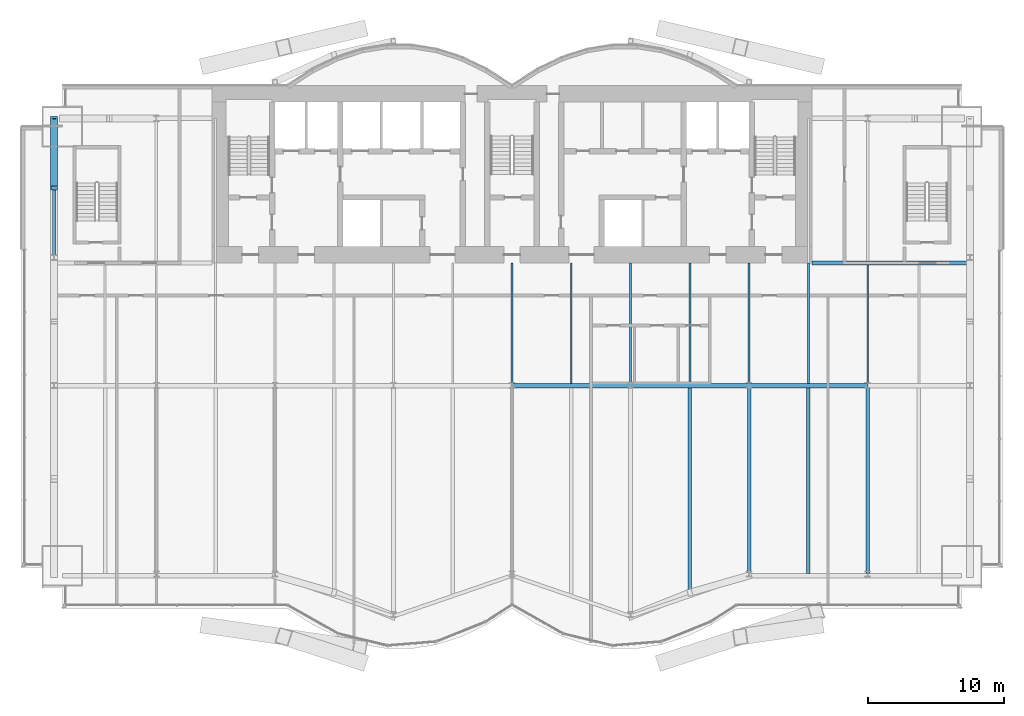
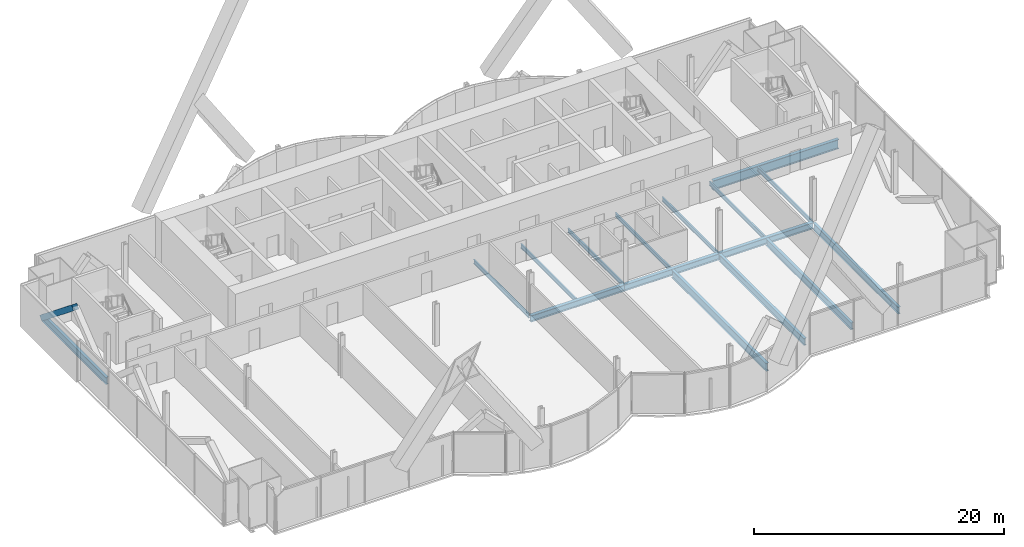
# One storey, part 10 of 22: 16 beams, 1 member.
"""IFC4 building model written with IfcOpenShell, lengths in metres."""

import ifcopenshell
import ifcopenshell.guid

model = None  # the IFC model being written
_history = None  # IfcOwnerHistory: only IFC2X3 demands one
_inside = {}  # id of a spatial element -> (the spatial element, [elements in it])
_under = {}  # id of a project, library or spatial element -> (it, [spatial elements below it])
_declared = {}  # id of a project -> (the project, [libraries it declares])
_typed = {}  # id of a type object -> (the type object, [elements of that type])
_made_of = {}  # id of a material, layer set ... -> (it, [elements and type objects made of it])


def new_model(schema):
    """Start an empty IFC model of exactly this schema.

    Asked for "IFC4X3", IfcOpenShell would pick the latest addendum, in which some entities
    have other attributes; the version numbers below select the first issue.
    IFC2X3 requires an IfcOwnerHistory on every rooted entity: one is made here for all.
    """
    global model, _history
    if schema == "IFC4X3":
        model = ifcopenshell.file(schema_version=(4, 3, 0, 0))
    else:
        model = ifcopenshell.file(schema=schema)
    _inside.clear()
    _under.clear()
    _declared.clear()
    _typed.clear()
    _made_of.clear()
    _history = None
    if model.schema == "IFC2X3":
        org = make("IfcOrganization", Name="unknown")
        user = make(
            "IfcPersonAndOrganization",
            ThePerson=make("IfcPerson", FamilyName="unknown"),
            TheOrganization=org,
        )
        app = make(
            "IfcApplication",
            ApplicationDeveloper=org,
            Version="unknown",
            ApplicationFullName="unknown",
            ApplicationIdentifier="unknown",
        )
        _history = make(
            "IfcOwnerHistory",
            OwningUser=user,
            OwningApplication=app,
            ChangeAction="ADDED",
            CreationDate=0,
        )
    return model


def make(cls, **values):
    """One entity of the class cls with the attributes given. An attribute that is None is left unset."""
    return model.create_entity(
        cls, **{name: value for name, value in values.items() if value is not None}
    )


def rooted(cls, **values):
    """An entity with a GlobalId (a new one), such as an element, a storey or a relation."""
    return make(cls, GlobalId=ifcopenshell.guid.new(), OwnerHistory=_history, **values)


def si_unit(unit_type, name, prefix=None):
    """IfcSIUnit, for example si_unit("LENGTHUNIT", "METRE", prefix="MILLI")."""
    return make("IfcSIUnit", UnitType=unit_type, Prefix=prefix, Name=name)


def assignment(units):
    """IfcUnitAssignment: the units of a project."""
    return None if units is None else make("IfcUnitAssignment", Units=units)


def point(xyz):
    """IfcCartesianPoint."""
    return None if xyz is None else make("IfcCartesianPoint", Coordinates=xyz)


def direction(xyz):
    """IfcDirection."""
    return None if xyz is None else make("IfcDirection", DirectionRatios=xyz)


def frame(location, z_axis=None, x_axis=None):
    """IfcAxis2Placement3D, a coordinate frame: its origin and axes. An axis left out is left unset."""
    return make(
        "IfcAxis2Placement3D",
        Location=point(location),
        Axis=direction(z_axis),
        RefDirection=direction(x_axis),
    )


def frame_2d(location, x_axis=None):
    """IfcAxis2Placement2D, a coordinate frame in the plane: its origin and x axis."""
    return make(
        "IfcAxis2Placement2D", Location=point(location), RefDirection=direction(x_axis)
    )


def origin():
    """The frame at (0, 0, 0) with its axes left unset."""
    return frame((0.0, 0.0, 0.0))


def origin_2d():
    """The frame at (0, 0) in the plane with its x axis left unset."""
    return frame_2d((0.0, 0.0))


def place(relative_to, where):
    """IfcLocalPlacement: puts the frame where relative to a parent placement (None: the world)."""
    return make(
        "IfcLocalPlacement", PlacementRelTo=relative_to, RelativePlacement=where
    )


def context(
    kind, dimensions, precision=None, world=None, true_north=None, identifier=None
):
    """IfcGeometricRepresentationContext, for example the 3D "Model" context."""
    return make(
        "IfcGeometricRepresentationContext",
        ContextIdentifier=identifier,
        ContextType=kind,
        CoordinateSpaceDimension=dimensions,
        Precision=precision,
        WorldCoordinateSystem=world,
        TrueNorth=true_north,
    )


def subcontext(parent, identifier, kind, view, scale=None):
    """IfcGeometricRepresentationSubContext, for example "Body" below "Model"."""
    return make(
        "IfcGeometricRepresentationSubContext",
        ContextIdentifier=identifier,
        ContextType=kind,
        ParentContext=parent,
        TargetScale=scale,
        TargetView=view,
    )


def project(units=None, contexts=None):
    """IfcProject with its units and contexts."""
    return rooted(
        "IfcProject",
        Name="project",
        RepresentationContexts=contexts,
        UnitsInContext=assignment(units),
    )


def spatial(cls, under=None, at=None, **own):
    """A site, building, storey or space (cls), placed at a placement, below another one or the project."""
    s = rooted(cls, ObjectPlacement=at, **own)
    if under is not None:
        _under.setdefault(under.id(), (under, []))[1].append(s)
    return s


def profile(cls, at=None, kind="AREA", **sizes):
    """A parametric profile (cls). Its sizes go by their IFC names, for example OverallWidth=200.0."""
    return make(cls, ProfileType=kind, Position=at, **sizes)


def hollow_rectangle(**sizes):
    """IfcRectangleHollowProfileDef."""
    return profile("IfcRectangleHollowProfileDef", **sizes)


def i_section(**sizes):
    """IfcIShapeProfileDef."""
    return profile("IfcIShapeProfileDef", **sizes)


def extrude(swept, where, along, depth):
    """IfcExtrudedAreaSolid: the profile swept, set in the frame where, extruded along a direction by depth."""
    return make(
        "IfcExtrudedAreaSolid",
        SweptArea=swept,
        Position=where,
        ExtrudedDirection=direction(along),
        Depth=depth,
    )


def shape(context_of_items, identifier, shape_type, items):
    """IfcShapeRepresentation: the items that make up one representation, for example the "Body"."""
    return make(
        "IfcShapeRepresentation",
        ContextOfItems=context_of_items,
        RepresentationIdentifier=identifier,
        RepresentationType=shape_type,
        Items=items,
    )


def material(Name=None, Category=None):
    """IfcMaterial."""
    return make("IfcMaterial", Name=Name, Category=Category)


def material_profile(
    of_material, cross_section, Name=None, Category=None, Priority=None
):
    """IfcMaterialProfile: a cross section and its material."""
    return make(
        "IfcMaterialProfile",
        Name=Name,
        Material=of_material,
        Profile=cross_section,
        Priority=Priority,
        Category=Category,
    )


def profile_set(profiles, Name=None, composite=None):
    """IfcMaterialProfileSet."""
    return make(
        "IfcMaterialProfileSet",
        Name=Name,
        MaterialProfiles=profiles,
        CompositeProfile=composite,
    )


def made_of(thing, what):
    """Note that an element or type object is made of a material, layer set ...; save() writes the relation."""
    if what is not None:
        _made_of.setdefault(what.id(), (what, []))[1].append(thing)
    return thing


def type_object(cls, material=None, **own):
    """A type object (cls), such as IfcWallType, which elements share."""
    return made_of(rooted(cls, **own), material)


def element(
    cls,
    number,
    at=None,
    inside=None,
    cuts=None,
    type_object=None,
    material=None,
    context=None,
    identifier="Body",
    shape_type=None,
    held_by="IfcProductDefinitionShape",
    body=None,
    shapes=None,
    **own,
):
    """One element of the class cls, such as IfcWall. Its Tag is "e" and its number.

    at: its placement. inside: the storey or other place that contains it. cuts: it is an
    opening in that element (IfcRelVoidsElement). A single representation is given by context,
    identifier, shape_type and body (its items); several are given by shapes. held_by: the class
    of the entity that holds the representations. save() writes the other relations.
    """
    e = rooted(cls, Tag="e%d" % number, ObjectPlacement=at, **own)
    if body is not None:
        shapes = [shape(context, identifier, shape_type, body)]
    if shapes is not None:
        e.Representation = make(held_by, Representations=shapes)
    if inside is not None:
        _inside.setdefault(inside.id(), (inside, []))[1].append(e)
    if cuts is not None:
        rooted(
            "IfcRelVoidsElement", RelatingBuildingElement=cuts, RelatedOpeningElement=e
        )
    if type_object is not None:
        _typed.setdefault(type_object.id(), (type_object, []))[1].append(e)
    return made_of(e, material)


def aggregate(whole, parts):
    """IfcRelAggregates: a whole, such as a stair, and the parts it consists of."""
    return rooted("IfcRelAggregates", RelatingObject=whole, RelatedObjects=parts)


def save(model, path):
    """Write the relations noted so far, then the file.

    IfcRelAggregates (storeys below a building ...), IfcRelContainedInSpatialStructure (elements
    in a storey), IfcRelDefinesByType, IfcRelAssociatesMaterial and IfcRelDeclares: one each for
    every whole, place, type object, material and project.
    """
    for whole, parts in _under.values():
        aggregate(whole, parts)
    for where, things in _inside.values():
        rooted(
            "IfcRelContainedInSpatialStructure",
            RelatedElements=things,
            RelatingStructure=where,
        )
    for kind, things in _typed.values():
        rooted("IfcRelDefinesByType", RelatedObjects=things, RelatingType=kind)
    for what, things in _made_of.values():
        rooted("IfcRelAssociatesMaterial", RelatedObjects=things, RelatingMaterial=what)
    for by, libraries in _declared.values():
        rooted("IfcRelDeclares", RelatingContext=by, RelatedDefinitions=libraries)
    model.write(path)


model = new_model("IFC4")

# Units and contexts
model_context = context("Model", 3, precision=1e-05, world=origin(), true_north=direction((0.0, 1.0)))
body_context = subcontext(model_context, "Body", "Model", "MODEL_VIEW")
ifc_project = project(units=[si_unit("LENGTHUNIT", "METRE"), si_unit("AREAUNIT", "SQUARE_METRE"), si_unit("VOLUMEUNIT", "CUBIC_METRE"), si_unit("PLANEANGLEUNIT", "RADIAN"), si_unit("MASSUNIT", "GRAM", prefix="KILO")], contexts=[model_context])

# Site, building, storey
site_placement = place(None, origin())
site = spatial("IfcSite", under=ifc_project, at=site_placement, CompositionType="ELEMENT")
building_placement = place(site_placement, origin())
building = spatial("IfcBuilding", under=site, at=building_placement, Name="Bicima Exchange Tower", CompositionType="ELEMENT")
storey_placement = place(building_placement, frame((0.0, 0.0, 102.199951171875)))
storey = spatial("IfcBuildingStorey", under=building, at=storey_placement, Name="L21", CompositionType="ELEMENT", Elevation=102.199951171875)

# Beams
ifc_material_1 = material(Name="Steel ASTM A992 Gr 50", Category="steel")
ifc_material_profile_1 = material_profile(ifc_material_1, i_section(OverallWidth=0.3046875, OverallDepth=0.911865234375, WebThickness=0.015869140625, FlangeThickness=0.02392578125, at=origin_2d()))
ifc_profile_set_1 = profile_set([ifc_material_profile_1], Name="Steel ASTM A992 Gr 50")
beam_type_1 = type_object("IfcBeamType", Name="Core-line girder W36x150", PredefinedType="BEAM", material=ifc_profile_set_1)
beam_1_placement = place(storey_placement, frame((22.0, -13.0, -0.60595703125), z_axis=(1.0, 0.0, 0.0), x_axis=(0.0, 1.0, 0.0)))
element("IfcBeam", 1, at=beam_1_placement, inside=storey, type_object=beam_type_1, Name="Core-line girder", PredefinedType="BEAM", context=body_context, shape_type="SweptSolid", body=[
    extrude(i_section(OverallWidth=0.3046875, OverallDepth=0.911865234375, WebThickness=0.015869140625, FlangeThickness=0.02392578125, at=origin_2d()), origin(), (0.0, 0.0, 1.0), 11.60009765625),
])
ifc_material_profile_2 = material_profile(ifc_material_1, i_section(OverallWidth=0.256591796875, OverallDepth=0.693359375, WebThickness=0.014404296875, FlangeThickness=0.023681640625, at=origin_2d()))
ifc_profile_set_2 = profile_set([ifc_material_profile_2], Name="Steel ASTM A992 Gr 50")
beam_type_2 = type_object("IfcBeamType", Name="End girder W27x114", PredefinedType="BEAM", material=ifc_profile_set_2)
beam_2_placement = place(storey_placement, frame((-33.60009765625, -2.39990234375, -0.49658203125), z_axis=(0.0, -1.0, 0.0), x_axis=(1.0, 0.0, 0.0)))
element("IfcBeam", 2, at=beam_2_placement, inside=storey, type_object=beam_type_2, Name="End girder", PredefinedType="BEAM", context=body_context, shape_type="SweptSolid", body=[
    extrude(i_section(OverallWidth=0.256591796875, OverallDepth=0.693359375, WebThickness=0.014404296875, FlangeThickness=0.023681640625, at=origin_2d()), origin(), (0.0, 0.0, 1.0), 10.2001953125),
])
ifc_material_profile_3 = material_profile(ifc_material_1, i_section(OverallWidth=0.140380859375, OverallDepth=0.40380859375, WebThickness=0.007080078125, FlangeThickness=0.01123046875, at=origin_2d()))
ifc_profile_set_3 = profile_set([ifc_material_profile_3], Name="Steel ASTM A992 Gr 50")
beam_type_3 = type_object("IfcBeamType", Name="Floor beam W16x31", PredefinedType="JOIST", material=ifc_profile_set_3)
for number, where, z_axis, x_axis, name in (
    (3, (0.0, -13.0, -0.351806640625), (0.0, -1.0, 0.0), (1.0, 0.0, 0.0), "Floor beam"),
    (4, (4.35009765625, -13.0, -0.351806640625), (0.0, -1.0, 0.0), (1.0, 0.0, 0.0), "Floor beam"),
    (5, (8.699951171875, -13.0, -0.351806640625), (0.0, -1.0, 0.0), (1.0, 0.0, 0.0), "Floor beam"),
    (6, (13.050048828125, -13.0, -0.351806640625), (0.0, -1.0, 0.0), (1.0, 0.0, 0.0), "Floor beam"),
    (7, (17.39990234375, -13.0, -0.351806640625), (0.0, -1.0, 0.0), (1.0, 0.0, 0.0), "Floor beam"),
    (8, (21.75, -13.0, -0.351806640625), (0.0, -1.0, 0.0), (1.0, 0.0, 0.0), "Floor beam"),
):
    element("IfcBeam", number, at=place(storey_placement, frame(where, z_axis=z_axis, x_axis=x_axis)), inside=storey, type_object=beam_type_3, Name=name, PredefinedType="JOIST", context=body_context, shape_type="SweptSolid", body=[
        extrude(i_section(OverallWidth=0.140380859375, OverallDepth=0.40380859375, WebThickness=0.007080078125, FlangeThickness=0.01123046875, at=origin_2d()), origin(), (0.0, 0.0, 1.0), 8.83740234375),
    ])
beam_3_placement = place(storey_placement, frame((26.10009765625, -13.15234375, -0.351806640625), z_axis=(0.0, -1.0, 0.0), x_axis=(1.0, 0.0, 0.0)))
element("IfcBeam", 9, at=beam_3_placement, inside=storey, type_object=beam_type_3, Name="Floor beam", PredefinedType="JOIST", context=body_context, shape_type="SweptSolid", body=[
    extrude(i_section(OverallWidth=0.140380859375, OverallDepth=0.40380859375, WebThickness=0.007080078125, FlangeThickness=0.01123046875, at=origin_2d()), origin(), (0.0, 0.0, 1.0), 8.68505859375),
])
ifc_material_profile_4 = material_profile(ifc_material_1, i_section(OverallWidth=0.25390625, OverallDepth=0.67822265625, WebThickness=0.01171875, FlangeThickness=0.016357421875, at=origin_2d()))
ifc_profile_set_4 = profile_set([ifc_material_profile_4], Name="Steel ASTM A992 Gr 50")
beam_type_4 = type_object("IfcBeamType", Name="Floor beam W27x84", PredefinedType="JOIST", material=ifc_profile_set_4)
beam_4_placement = place(storey_placement, frame((17.39990234375, -22.16259765625, -0.489013671875), z_axis=(0.0, -1.0, 0.0), x_axis=(1.0, 0.0, 0.0)))
element("IfcBeam", 10, at=beam_4_placement, inside=storey, type_object=beam_type_4, Name="Floor beam", PredefinedType="JOIST", context=body_context, shape_type="SweptSolid", body=[
    extrude(i_section(OverallWidth=0.25390625, OverallDepth=0.67822265625, WebThickness=0.01171875, FlangeThickness=0.016357421875, at=origin_2d()), origin(), (0.0, 0.0, 1.0), 13.641845703125),
])
for number, where, z_axis, x_axis, name in (
    (11, (21.75, -22.16259765625, -0.489013671875), (0.0, -1.0, 0.0), (1.0, 0.0, 0.0), "Floor beam"),
    (12, (26.10009765625, -22.16259765625, -0.489013671875), (0.0, -1.0, 0.0), (1.0, 0.0, 0.0), "Floor beam"),
):
    element("IfcBeam", number, at=place(storey_placement, frame(where, z_axis=z_axis, x_axis=x_axis)), inside=storey, type_object=beam_type_4, Name=name, PredefinedType="JOIST", context=body_context, shape_type="SweptSolid", body=[
        extrude(i_section(OverallWidth=0.25390625, OverallDepth=0.67822265625, WebThickness=0.01171875, FlangeThickness=0.016357421875, at=origin_2d()), origin(), (0.0, 0.0, 1.0), 13.61474609375),
    ])
ifc_material_profile_5 = material_profile(ifc_material_1, i_section(OverallWidth=0.2666015625, OverallDepth=0.75439453125, WebThickness=0.01318359375, FlangeThickness=0.01708984375, at=origin_2d()))
ifc_profile_set_5 = profile_set([ifc_material_profile_5], Name="Steel ASTM A992 Gr 50")
beam_type_5 = type_object("IfcBeamType", Name="Floor beam W30x99", PredefinedType="JOIST", material=ifc_profile_set_5)
beam_5_placement = place(storey_placement, frame((13.050048828125, -22.16259765625, -0.527099609375), z_axis=(0.0, -1.0, 0.0), x_axis=(1.0, 0.0, 0.0)))
element("IfcBeam", 13, at=beam_5_placement, inside=storey, type_object=beam_type_5, Name="Floor beam", PredefinedType="JOIST", context=body_context, shape_type="SweptSolid", body=[
    extrude(i_section(OverallWidth=0.2666015625, OverallDepth=0.75439453125, WebThickness=0.01318359375, FlangeThickness=0.01708984375, at=origin_2d()), origin(), (0.0, 0.0, 1.0), 15.13720703125),
])

# Member
ifc_material_2 = material(Name="Steel ASTM A572 Gr 50", Category="steel")
ifc_material_profile_6 = material_profile(ifc_material_2, hollow_rectangle(XDim=0.508056640625, YDim=0.508056640625, WallThickness=0.0146484375, at=origin_2d()))
ifc_profile_set_6 = profile_set([ifc_material_profile_6], Name="Steel ASTM A572 Gr 50")
member_type = type_object("IfcMemberType", Name="Mega brace HSS20x20x5/8", PredefinedType="BRACE", material=ifc_profile_set_6)
member_placement = place(storey_placement, frame((-33.60009765625, -2.39990234375, -0.49658203125), z_axis=(0.0, -0.779392460608, 0.626536026376), x_axis=(1.0, 0.0, 0.0)))
element("IfcMember", 14, at=member_placement, inside=storey, type_object=member_type, Name="Mega brace west end", PredefinedType="BRACE", context=body_context, shape_type="SweptSolid", body=[
    extrude(hollow_rectangle(XDim=0.508056640625, YDim=0.508056640625, WallThickness=0.0146484375, at=origin_2d()), origin(), (0.0, 0.0, 1.0), 6.543701171875),
])

# Beams
ifc_material_profile_7 = material_profile(ifc_material_1, i_section(OverallWidth=0.3251953125, OverallDepth=0.612060546875, WebThickness=0.0126953125, FlangeThickness=0.01904296875, at=origin_2d()))
ifc_profile_set_7 = profile_set([ifc_material_profile_7], Name="Steel ASTM A992 Gr 50")
beam_type_6 = type_object("IfcBeamType", Name="Row girder W24x104", PredefinedType="BEAM", material=ifc_profile_set_7)
for number, where, z_axis, x_axis, name in (
    (15, (0.0, -22.0, -0.4560546875), (1.0, 0.0, 0.0), (0.0, 1.0, 0.0), "Row girder"),
    (16, (8.699951171875, -22.0, -0.4560546875), (1.0, 0.0, 0.0), (0.0, 1.0, 0.0), "Row girder"),
):
    element("IfcBeam", number, at=place(storey_placement, frame(where, z_axis=z_axis, x_axis=x_axis)), inside=storey, type_object=beam_type_6, Name=name, PredefinedType="BEAM", context=body_context, shape_type="SweptSolid", body=[
        extrude(i_section(OverallWidth=0.3251953125, OverallDepth=0.612060546875, WebThickness=0.0126953125, FlangeThickness=0.01904296875, at=origin_2d()), origin(), (0.0, 0.0, 1.0), 8.699951171875),
    ])
beam_6_placement = place(storey_placement, frame((17.39990234375, -22.0, -0.4560546875), z_axis=(1.0, 0.0, 0.0), x_axis=(0.0, 1.0, 0.0)))
element("IfcBeam", 17, at=beam_6_placement, inside=storey, type_object=beam_type_6, Name="Row girder", PredefinedType="BEAM", context=body_context, shape_type="SweptSolid", body=[
    extrude(i_section(OverallWidth=0.3251953125, OverallDepth=0.612060546875, WebThickness=0.0126953125, FlangeThickness=0.01904296875, at=origin_2d()), origin(), (0.0, 0.0, 1.0), 8.7001953125),
])

save(model, "model.ifc")
